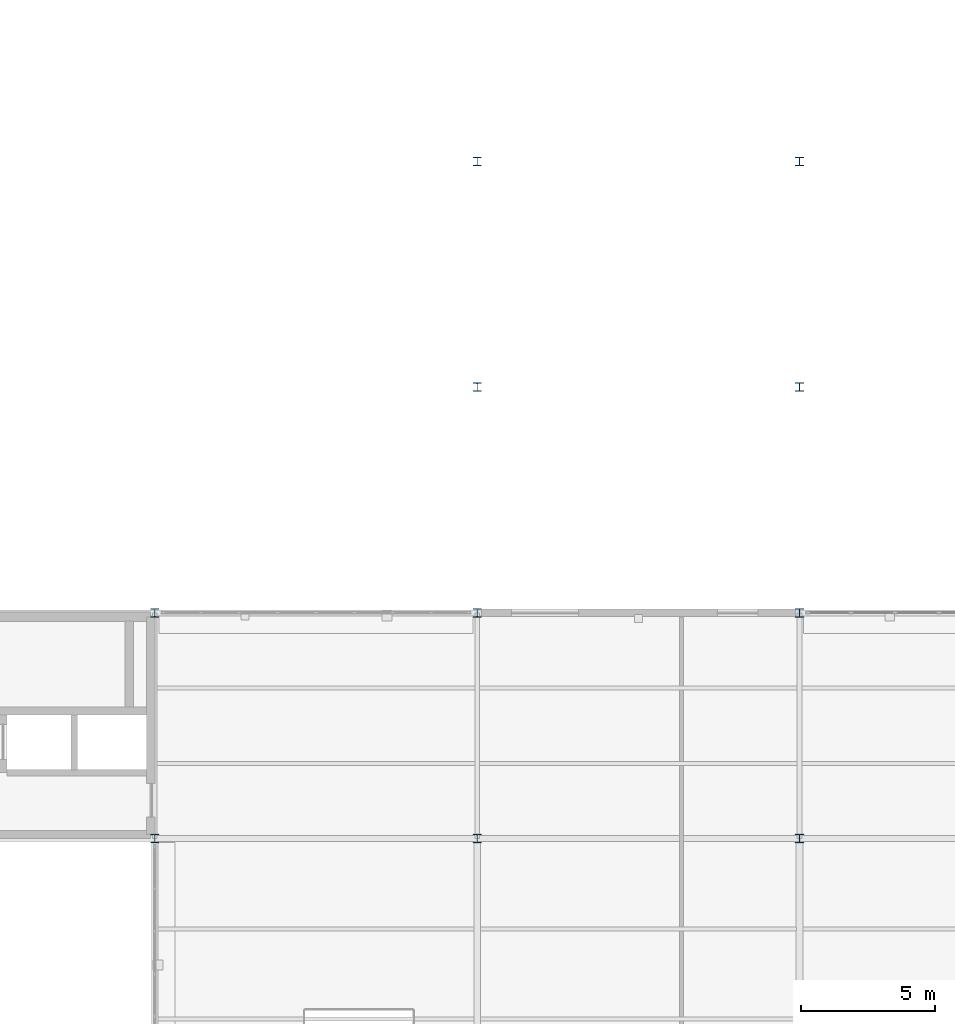
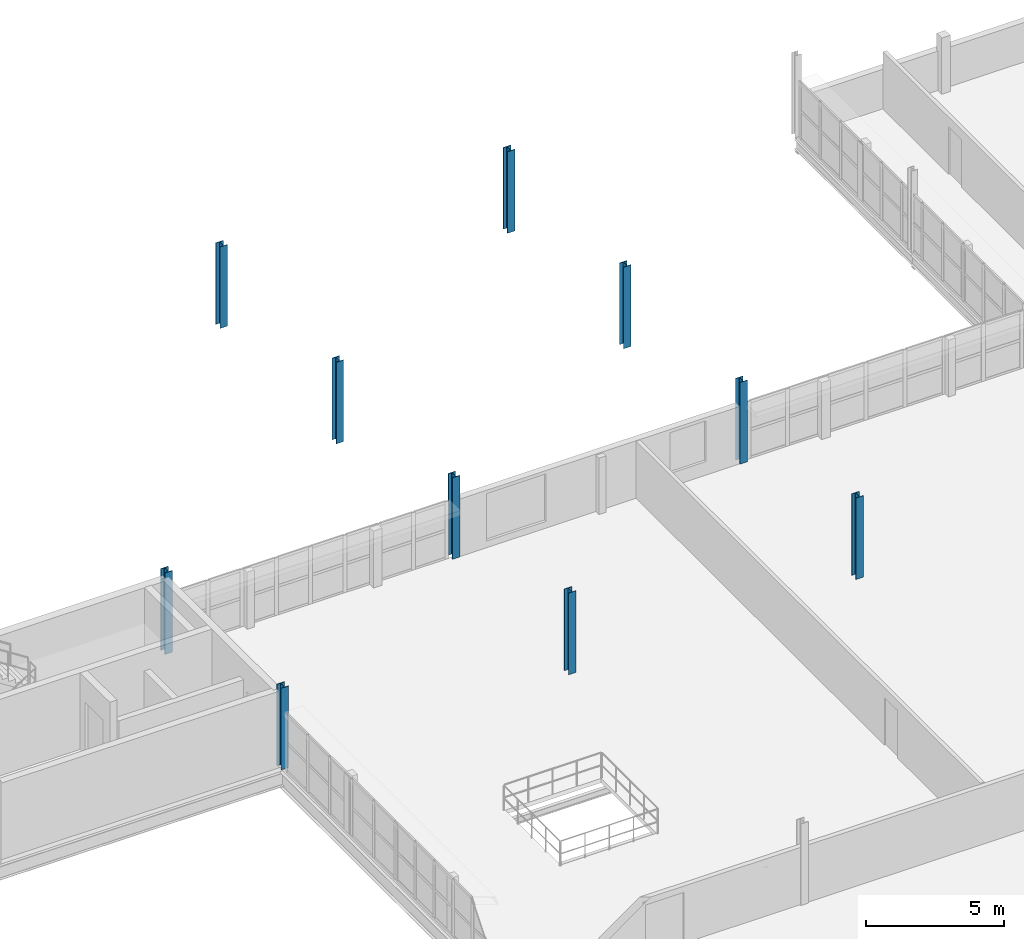
# One storey, part 16 of 79: 10 columns.
"""IFC4 building model written with IfcOpenShell, lengths in metres."""

from ifc_helpers import new_model, si_unit, direction, frame, origin, origin_2d, place, context, subcontext, project, spatial, i_section, extrude, material, material_profile, profile_set, type_object, element, save


model = new_model("IFC4")

# Units and contexts
model_context = context("Model", 3, precision=1e-05, world=origin(), true_north=direction((0.0, 1.0)))
body_context = subcontext(model_context, "Body", "Model", "MODEL_VIEW")
ifc_project = project(units=[si_unit("LENGTHUNIT", "METRE"), si_unit("AREAUNIT", "SQUARE_METRE"), si_unit("VOLUMEUNIT", "CUBIC_METRE"), si_unit("PLANEANGLEUNIT", "RADIAN"), si_unit("MASSUNIT", "GRAM", prefix="KILO"), si_unit("THERMODYNAMICTEMPERATUREUNIT", "KELVIN"), si_unit("POWERUNIT", "WATT")], contexts=[model_context])

# Site, building, storey
site_placement = place(None, origin())
site = spatial("IfcSite", under=ifc_project, at=site_placement, CompositionType="ELEMENT")
building_placement = place(site_placement, origin())
building = spatial("IfcBuilding", under=site, at=building_placement, Name="Tembeka Court Mobility Hub", CompositionType="ELEMENT")
storey_placement = place(building_placement, frame((0.0, 0.0, 9.0)))
storey = spatial("IfcBuildingStorey", under=building, at=storey_placement, Name="L02", CompositionType="ELEMENT", Elevation=9.0)

# Columns
ifc_material = material(Name="Steel S355", Category="steel")
ifc_material_profile = material_profile(ifc_material, i_section(OverallWidth=0.30908203125, OverallDepth=0.321044921875, WebThickness=0.013916015625, FlangeThickness=0.021728515625, FilletRadius=0.01513671875, at=origin_2d()), Name="UKC 305x305x137")
ifc_profile_set = profile_set([ifc_material_profile], Name="Steel S355")
column_type = type_object("IfcColumnType", Name="COL-C04", PredefinedType="COLUMN", material=ifc_profile_set)
for number, where, z_axis, x_axis, name in (
    (1, (128.39990234375, 38.39990234375, 0.0), (0.0, 0.0, 1.0), (1.0, 0.0, 0.0), "Column C04 (L02-176)"),
    (2, (128.39990234375, 46.800048828125, 0.0), (0.0, 0.0, 1.0), (1.0, 0.0, 0.0), "Column C04 (L02-177)"),
    (3, (140.39990234375, 38.39990234375, 0.0), (0.0, 0.0, 1.0), (1.0, 0.0, 0.0), "Column C04 (L02-196)"),
    (4, (140.39990234375, 46.800048828125, 0.0), (0.0, 0.0, 1.0), (1.0, 0.0, 0.0), "Column C04 (L02-197)"),
    (5, (140.39990234375, 55.199951171875, 0.0), (0.0, 0.0, 1.0), (1.0, 0.0, 0.0), "Column C04 (L02-198)"),
    (6, (140.39990234375, 63.60009765625, 0.0), (0.0, 0.0, 1.0), (1.0, 0.0, 0.0), "Column C04 (L02-199)"),
    (7, (152.39990234375, 38.39990234375, 0.0), (0.0, 0.0, 1.0), (1.0, 0.0, 0.0), "Column C04 (L02-209)"),
    (8, (152.39990234375, 46.800048828125, 0.0), (0.0, 0.0, 1.0), (1.0, 0.0, 0.0), "Column C04 (L02-210)"),
    (9, (152.39990234375, 55.199951171875, 0.0), (0.0, 0.0, 1.0), (1.0, 0.0, 0.0), "Column C04 (L02-211)"),
    (10, (152.39990234375, 63.60009765625, 0.0), (0.0, 0.0, 1.0), (1.0, 0.0, 0.0), "Column C04 (L02-212)"),
):
    element("IfcColumn", number, at=place(storey_placement, frame(where, z_axis=z_axis, x_axis=x_axis)), inside=storey, type_object=column_type, Name=name, PredefinedType="COLUMN", context=body_context, shape_type="SweptSolid", body=[
        extrude(i_section(OverallWidth=0.30908203125, OverallDepth=0.321044921875, WebThickness=0.013916015625, FlangeThickness=0.021728515625, FilletRadius=0.01513671875, at=origin_2d()), origin(), (0.0, 0.0, 1.0), 3.60009765625),
    ])

save(model, "model.ifc")
